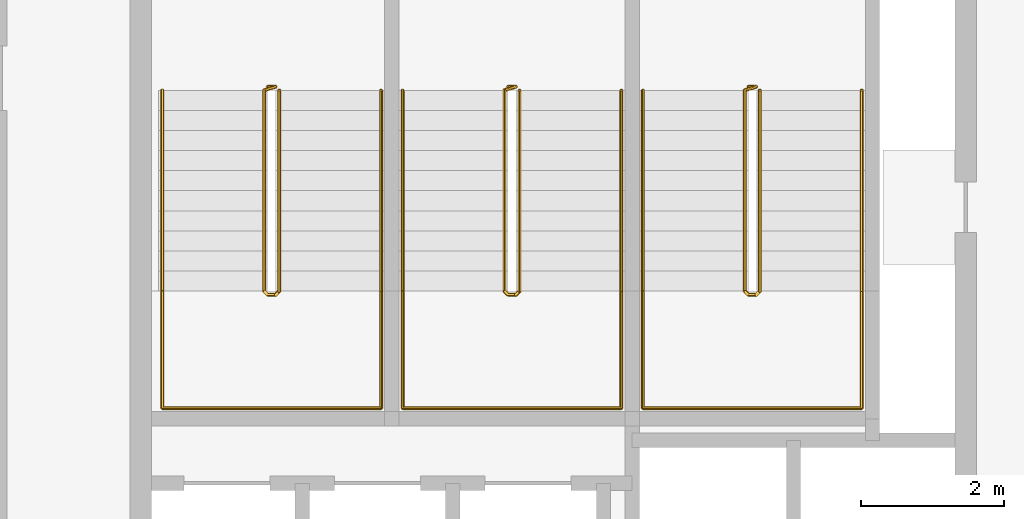
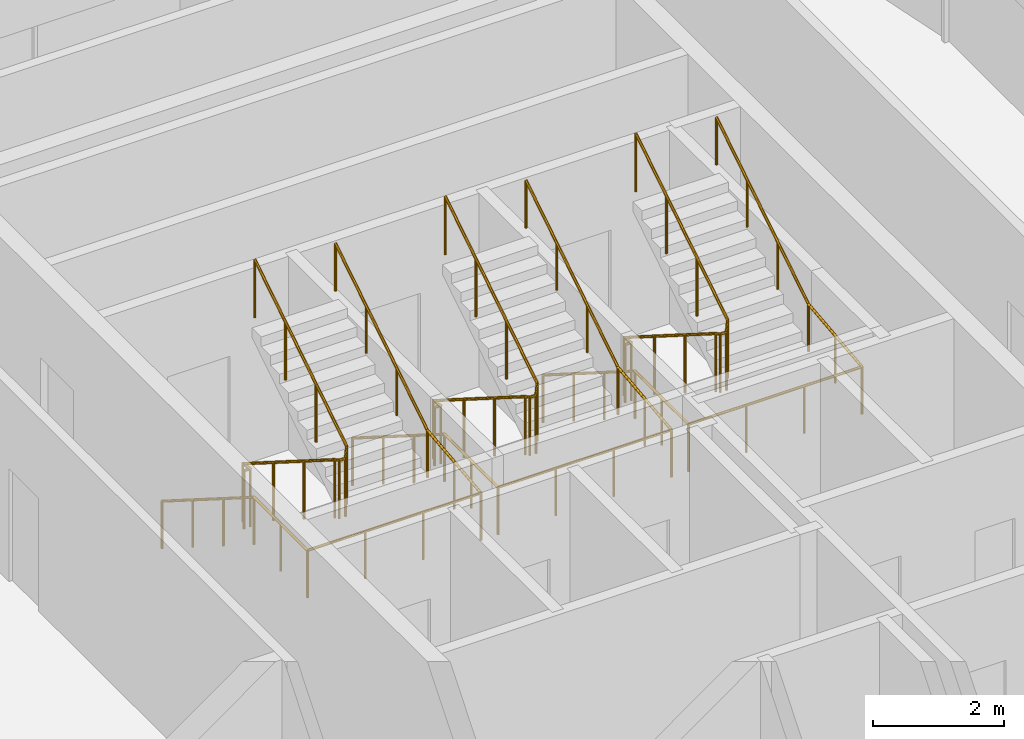
# One storey, part 9 of 9: 6 railings.
"""IFC4 building model written with IfcOpenShell, lengths in metres."""

from ifc_helpers import new_model, si_unit, direction, frame, origin, origin_2d, place, context, subcontext, project, spatial, circle, extrude, material, type_object, element, save


model = new_model("IFC4")

# Units and contexts
model_context = context("Model", 3, precision=1e-05, world=origin(), true_north=direction((0.0, 1.0)))
body_context = subcontext(model_context, "Body", "Model", "MODEL_VIEW")
ifc_project = project(units=[si_unit("LENGTHUNIT", "METRE"), si_unit("AREAUNIT", "SQUARE_METRE"), si_unit("VOLUMEUNIT", "CUBIC_METRE"), si_unit("PLANEANGLEUNIT", "RADIAN"), si_unit("MASSUNIT", "GRAM", prefix="KILO")], contexts=[model_context])

# Site, building, storey
site_placement = place(None, origin())
site = spatial("IfcSite", under=ifc_project, at=site_placement, CompositionType="ELEMENT")
building_placement = place(site_placement, origin())
building = spatial("IfcBuilding", under=site, at=building_placement, Name="Tessera Arch", CompositionType="ELEMENT")
storey_placement = place(building_placement, frame((0.0, 0.0, 305.10009765625)))
storey = spatial("IfcBuildingStorey", under=building, at=storey_placement, Name="L73", CompositionType="ELEMENT", Elevation=305.10009765625)

# Railings
ifc_material_1 = material(Name="Painted steel balustrade", Category="steel")
railing_type_1 = type_object("IfcRailingType", Name="Stair guard 1100", PredefinedType="GUARDRAIL", material=ifc_material_1)
railing_1_placement = place(storey_placement, frame((38.219970703125, 43.6298828125, 0.0)))
element("IfcRailing", 1, at=railing_1_placement, inside=storey, type_object=railing_type_1, Name="L73 S1a stair guard 1", PredefinedType="GUARDRAIL", context=body_context, shape_type="SweptSolid", body=[
    extrude(circle(Radius=0.02392578125, at=origin_2d()), frame((-0.00390625, 0.0, 1.076171875), z_axis=(1.0, 0.0, 0.0), x_axis=(0.0, 1.0, 0.0)), (0.0, 0.0, 1.0), 0.1181640625),
    extrude(circle(Radius=0.02392578125, at=origin_2d()), frame((0.11279296875, 0.000732421875, 1.0732421875), z_axis=(-0.656319048605, -0.204099216335, 0.726353093426), x_axis=(0.296948579431, -0.954893471113, 0.0)), (0.0, 0.0, 1.0), 0.251953125),
    extrude(circle(Radius=0.02392578125, at=origin_2d()), frame((-0.050048828125, -0.04638671875, 1.251220703125), z_axis=(0.0, -0.844908973607, 0.534910110503), x_axis=(1.0, 0.0, 0.0)), (0.0, 0.0, 1.0), 3.322021484375),
    extrude(circle(Radius=0.02392578125, at=origin_2d()), frame((-0.052978515625, -2.846923828125, 3.02587890625), z_axis=(0.707106781187, -0.707106781187, 0.0), x_axis=(0.707106781187, 0.707106781187, 0.0)), (0.0, 0.0, 1.0), 0.078857421875),
    extrude(circle(Radius=0.02392578125, at=origin_2d()), frame((-0.00390625, -2.89990234375, 3.02587890625), z_axis=(1.0, 0.0, 0.0), x_axis=(0.0, 1.0, 0.0)), (0.0, 0.0, 1.0), 0.1181640625),
    extrude(circle(Radius=0.02392578125, at=origin_2d()), frame((0.109130859375, -2.90087890625, 3.022216796875), z_axis=(0.261041864531, 0.262321481514, 0.929001929653), x_axis=(-0.708833529934, 0.705375805398, 0.0)), (0.0, 0.0, 1.0), 0.19873046875),
    extrude(circle(Radius=0.02392578125, at=origin_2d()), frame((0.159912109375, -2.853271484375, 3.201171875), z_axis=(0.0, 0.844908973607, 0.534910110503), x_axis=(-1.0, 0.0, 0.0)), (0.0, 0.0, 1.0), 3.322021484375),
    extrude(circle(Radius=0.02099609375, at=origin_2d()), origin(), (0.0, 0.0, 1.0), 1.06396484375),
    extrude(circle(Radius=0.02099609375, at=origin_2d()), frame((0.110107421875, 0.0, 0.0)), (0.0, 0.0, 1.0), 1.06396484375),
    extrude(circle(Radius=0.02099609375, at=origin_2d()), frame((-0.050048828125, -0.0498046875, 0.17724609375)), (0.0, 0.0, 1.0), 1.06396484375),
    extrude(circle(Radius=0.02099609375, at=origin_2d()), frame((-0.050048828125, -0.983154296875, 0.76806640625)), (0.0, 0.0, 1.0), 1.06396484375),
    extrude(circle(Radius=0.02099609375, at=origin_2d()), frame((-0.050048828125, -1.91650390625, 1.359130859375)), (0.0, 0.0, 1.0), 1.06396484375),
    extrude(circle(Radius=0.02099609375, at=origin_2d()), frame((-0.050048828125, -2.849853515625, 1.949951171875)), (0.0, 0.0, 1.0), 1.06396484375),
    extrude(circle(Radius=0.02099609375, at=origin_2d()), frame((0.0, -2.89990234375, 1.949951171875)), (0.0, 0.0, 1.0), 1.06396484375),
    extrude(circle(Radius=0.02099609375, at=origin_2d()), frame((0.110107421875, -2.89990234375, 1.949951171875)), (0.0, 0.0, 1.0), 1.06396484375),
    extrude(circle(Radius=0.02099609375, at=origin_2d()), frame((0.159912109375, -2.849853515625, 2.127197265625)), (0.0, 0.0, 1.0), 1.06396484375),
    extrude(circle(Radius=0.02099609375, at=origin_2d()), frame((0.159912109375, -1.91650390625, 2.718017578125)), (0.0, 0.0, 1.0), 1.06396484375),
    extrude(circle(Radius=0.02099609375, at=origin_2d()), frame((0.159912109375, -0.983154296875, 3.30908203125)), (0.0, 0.0, 1.0), 1.06396484375),
    extrude(circle(Radius=0.02099609375, at=origin_2d()), frame((0.159912109375, -0.0498046875, 3.89990234375)), (0.0, 0.0, 1.0), 1.06396484375),
])
railing_2_placement = place(storey_placement, frame((41.570068359375, 43.6298828125, 0.0)))
element("IfcRailing", 2, at=railing_2_placement, inside=storey, type_object=railing_type_1, Name="L73 S1b stair guard 1", PredefinedType="GUARDRAIL", context=body_context, shape_type="SweptSolid", body=[
    extrude(circle(Radius=0.02392578125, at=origin_2d()), frame((-0.00390625, 0.0, 1.076171875), z_axis=(1.0, 0.0, 0.0), x_axis=(0.0, 1.0, 0.0)), (0.0, 0.0, 1.0), 0.117919921875),
    extrude(circle(Radius=0.02392578125, at=origin_2d()), frame((0.112548828125, 0.000732421875, 1.0732421875), z_axis=(-0.65574896516, -0.204233265485, 0.726830150696), x_axis=(0.297361876254, -0.954764847777, 0.0)), (0.0, 0.0, 1.0), 0.251953125),
    extrude(circle(Radius=0.02392578125, at=origin_2d()), frame((-0.050048828125, -0.04638671875, 1.251220703125), z_axis=(0.0, -0.844908973607, 0.534910110503), x_axis=(1.0, 0.0, 0.0)), (0.0, 0.0, 1.0), 3.322021484375),
    extrude(circle(Radius=0.02392578125, at=origin_2d()), frame((-0.052978515625, -2.846923828125, 3.02587890625), z_axis=(0.707106781187, -0.707106781187, 0.0), x_axis=(0.707106781187, 0.707106781187, 0.0)), (0.0, 0.0, 1.0), 0.078857421875),
    extrude(circle(Radius=0.02392578125, at=origin_2d()), frame((-0.00390625, -2.89990234375, 3.02587890625), z_axis=(1.0, 0.0, 0.0), x_axis=(0.0, 1.0, 0.0)), (0.0, 0.0, 1.0), 0.117919921875),
    extrude(circle(Radius=0.02392578125, at=origin_2d()), frame((0.10888671875, -2.90087890625, 3.022216796875), z_axis=(0.262233686654, 0.262233686654, 0.928691007369), x_axis=(-0.707106781187, 0.707106781187, 0.0)), (0.0, 0.0, 1.0), 0.198974609375),
    extrude(circle(Radius=0.02392578125, at=origin_2d()), frame((0.159912109375, -2.853271484375, 3.201171875), z_axis=(0.0, 0.844908973607, 0.534910110503), x_axis=(-1.0, 0.0, 0.0)), (0.0, 0.0, 1.0), 3.322021484375),
    extrude(circle(Radius=0.02099609375, at=origin_2d()), origin(), (0.0, 0.0, 1.0), 1.06396484375),
    extrude(circle(Radius=0.02099609375, at=origin_2d()), frame((0.10986328125, 0.0, 0.0)), (0.0, 0.0, 1.0), 1.06396484375),
    extrude(circle(Radius=0.02099609375, at=origin_2d()), frame((-0.050048828125, -0.0498046875, 0.17724609375)), (0.0, 0.0, 1.0), 1.06396484375),
    extrude(circle(Radius=0.02099609375, at=origin_2d()), frame((-0.050048828125, -0.983154296875, 0.76806640625)), (0.0, 0.0, 1.0), 1.06396484375),
    extrude(circle(Radius=0.02099609375, at=origin_2d()), frame((-0.050048828125, -1.91650390625, 1.359130859375)), (0.0, 0.0, 1.0), 1.06396484375),
    extrude(circle(Radius=0.02099609375, at=origin_2d()), frame((-0.050048828125, -2.849853515625, 1.949951171875)), (0.0, 0.0, 1.0), 1.06396484375),
    extrude(circle(Radius=0.02099609375, at=origin_2d()), frame((0.0, -2.89990234375, 1.949951171875)), (0.0, 0.0, 1.0), 1.06396484375),
    extrude(circle(Radius=0.02099609375, at=origin_2d()), frame((0.10986328125, -2.89990234375, 1.949951171875)), (0.0, 0.0, 1.0), 1.06396484375),
    extrude(circle(Radius=0.02099609375, at=origin_2d()), frame((0.159912109375, -2.849853515625, 2.127197265625)), (0.0, 0.0, 1.0), 1.06396484375),
    extrude(circle(Radius=0.02099609375, at=origin_2d()), frame((0.159912109375, -1.91650390625, 2.718017578125)), (0.0, 0.0, 1.0), 1.06396484375),
    extrude(circle(Radius=0.02099609375, at=origin_2d()), frame((0.159912109375, -0.983154296875, 3.30908203125)), (0.0, 0.0, 1.0), 1.06396484375),
    extrude(circle(Radius=0.02099609375, at=origin_2d()), frame((0.159912109375, -0.0498046875, 3.89990234375)), (0.0, 0.0, 1.0), 1.06396484375),
])
railing_3_placement = place(storey_placement, frame((44.919921875, 43.6298828125, 0.0)))
element("IfcRailing", 3, at=railing_3_placement, inside=storey, type_object=railing_type_1, Name="L73 S1c stair guard 1", PredefinedType="GUARDRAIL", context=body_context, shape_type="SweptSolid", body=[
    extrude(circle(Radius=0.02392578125, at=origin_2d()), frame((-0.00390625, 0.0, 1.076171875), z_axis=(1.0, 0.0, 0.0), x_axis=(0.0, 1.0, 0.0)), (0.0, 0.0, 1.0), 0.1181640625),
    extrude(circle(Radius=0.02392578125, at=origin_2d()), frame((0.11279296875, 0.000732421875, 1.0732421875), z_axis=(-0.65574896516, -0.204233265485, 0.726830150696), x_axis=(0.297361876254, -0.954764847777, 0.0)), (0.0, 0.0, 1.0), 0.251953125),
    extrude(circle(Radius=0.02392578125, at=origin_2d()), frame((-0.0498046875, -0.04638671875, 1.251220703125), z_axis=(0.0, -0.844908973607, 0.534910110503), x_axis=(1.0, 0.0, 0.0)), (0.0, 0.0, 1.0), 3.322021484375),
    extrude(circle(Radius=0.02392578125, at=origin_2d()), frame((-0.052734375, -2.846923828125, 3.02587890625), z_axis=(0.705375805398, -0.708833529934, 0.0), x_axis=(0.708833529934, 0.705375805398, 0.0)), (0.0, 0.0, 1.0), 0.07861328125),
    extrude(circle(Radius=0.02392578125, at=origin_2d()), frame((-0.00390625, -2.89990234375, 3.02587890625), z_axis=(1.0, 0.0, 0.0), x_axis=(0.0, 1.0, 0.0)), (0.0, 0.0, 1.0), 0.1181640625),
    extrude(circle(Radius=0.02392578125, at=origin_2d()), frame((0.109130859375, -2.90087890625, 3.022216796875), z_axis=(0.262233686654, 0.262233686654, 0.928691007369), x_axis=(-0.707106781187, 0.707106781187, 0.0)), (0.0, 0.0, 1.0), 0.198974609375),
    extrude(circle(Radius=0.02392578125, at=origin_2d()), frame((0.16015625, -2.853271484375, 3.201171875), z_axis=(0.0, 0.844908973607, 0.534910110503), x_axis=(-1.0, 0.0, 0.0)), (0.0, 0.0, 1.0), 3.322021484375),
    extrude(circle(Radius=0.02099609375, at=origin_2d()), origin(), (0.0, 0.0, 1.0), 1.06396484375),
    extrude(circle(Radius=0.02099609375, at=origin_2d()), frame((0.110107421875, 0.0, 0.0)), (0.0, 0.0, 1.0), 1.06396484375),
    extrude(circle(Radius=0.02099609375, at=origin_2d()), frame((-0.0498046875, -0.0498046875, 0.17724609375)), (0.0, 0.0, 1.0), 1.06396484375),
    extrude(circle(Radius=0.02099609375, at=origin_2d()), frame((-0.0498046875, -0.983154296875, 0.76806640625)), (0.0, 0.0, 1.0), 1.06396484375),
    extrude(circle(Radius=0.02099609375, at=origin_2d()), frame((-0.0498046875, -1.91650390625, 1.359130859375)), (0.0, 0.0, 1.0), 1.06396484375),
    extrude(circle(Radius=0.02099609375, at=origin_2d()), frame((-0.0498046875, -2.849853515625, 1.949951171875)), (0.0, 0.0, 1.0), 1.06396484375),
    extrude(circle(Radius=0.02099609375, at=origin_2d()), frame((0.0, -2.89990234375, 1.949951171875)), (0.0, 0.0, 1.0), 1.06396484375),
    extrude(circle(Radius=0.02099609375, at=origin_2d()), frame((0.110107421875, -2.89990234375, 1.949951171875)), (0.0, 0.0, 1.0), 1.06396484375),
    extrude(circle(Radius=0.02099609375, at=origin_2d()), frame((0.16015625, -2.849853515625, 2.127197265625)), (0.0, 0.0, 1.0), 1.06396484375),
    extrude(circle(Radius=0.02099609375, at=origin_2d()), frame((0.16015625, -1.91650390625, 2.718017578125)), (0.0, 0.0, 1.0), 1.06396484375),
    extrude(circle(Radius=0.02099609375, at=origin_2d()), frame((0.16015625, -0.983154296875, 3.30908203125)), (0.0, 0.0, 1.0), 1.06396484375),
    extrude(circle(Radius=0.02099609375, at=origin_2d()), frame((0.16015625, -0.0498046875, 3.89990234375)), (0.0, 0.0, 1.0), 1.06396484375),
])
ifc_material_2 = material(Name="Painted steel handrail", Category="steel")
railing_type_2 = type_object("IfcRailingType", Name="Stair handrail 900", PredefinedType="HANDRAIL", material=ifc_material_2)
railing_4_placement = place(storey_placement, frame((36.75, 43.580078125, 0.17724609375)))
element("IfcRailing", 4, at=railing_4_placement, inside=storey, type_object=railing_type_2, Name="L73 S1a stair handrail", PredefinedType="HANDRAIL", context=body_context, shape_type="SweptSolid", body=[
    extrude(circle(Radius=0.02392578125, at=origin_2d()), frame((0.0, 0.00341796875, 0.873779296875), z_axis=(0.0, -0.844908973607, 0.534910110503), x_axis=(1.0, 0.0, 0.0)), (0.0, 0.0, 1.0), 3.322021484375),
    extrude(circle(Radius=0.02392578125, at=origin_2d()), frame((0.0, -2.796142578125, 2.6484375), z_axis=(0.0, -1.0, 0.0), x_axis=(1.0, 0.0, 0.0)), (0.0, 0.0, 1.0), 1.63818359375),
    extrude(circle(Radius=0.02392578125, at=origin_2d()), frame((-0.00390625, -4.43017578125, 2.6484375), z_axis=(1.0, 0.0, 0.0), x_axis=(0.0, 1.0, 0.0)), (0.0, 0.0, 1.0), 3.05810546875),
    extrude(circle(Radius=0.02392578125, at=origin_2d()), frame((3.050048828125, -4.43408203125, 2.648193359375), z_axis=(0.0, 0.994140637614, 0.108094369164), x_axis=(-1.0, 0.0, 0.0)), (0.0, 0.0, 1.0), 1.647705078125),
    extrude(circle(Radius=0.02392578125, at=origin_2d()), frame((3.050048828125, -2.803466796875, 2.82373046875), z_axis=(0.0, 0.844908973607, 0.534910110503), x_axis=(-1.0, 0.0, 0.0)), (0.0, 0.0, 1.0), 3.322021484375),
    extrude(circle(Radius=0.02099609375, at=origin_2d()), origin(), (0.0, 0.0, 1.0), 0.86376953125),
    extrude(circle(Radius=0.02099609375, at=origin_2d()), frame((0.0, -0.933349609375, 0.5908203125)), (0.0, 0.0, 1.0), 0.86376953125),
    extrude(circle(Radius=0.02099609375, at=origin_2d()), frame((0.0, -1.86669921875, 1.181884765625)), (0.0, 0.0, 1.0), 0.86376953125),
    extrude(circle(Radius=0.02099609375, at=origin_2d()), frame((0.0, -2.800048828125, 1.772705078125)), (0.0, 0.0, 1.0), 0.86376953125),
    extrude(circle(Radius=0.02099609375, at=origin_2d()), frame((0.0, -3.615234375, 1.772705078125)), (0.0, 0.0, 1.0), 0.86376953125),
    extrude(circle(Radius=0.02099609375, at=origin_2d()), frame((0.0, -4.43017578125, 1.772705078125)), (0.0, 0.0, 1.0), 0.86376953125),
    extrude(circle(Radius=0.02099609375, at=origin_2d()), frame((1.0166015625, -4.43017578125, 1.772705078125)), (0.0, 0.0, 1.0), 0.86376953125),
    extrude(circle(Radius=0.02099609375, at=origin_2d()), frame((2.033447265625, -4.43017578125, 1.772705078125)), (0.0, 0.0, 1.0), 0.86376953125),
    extrude(circle(Radius=0.02099609375, at=origin_2d()), frame((3.050048828125, -4.43017578125, 1.772705078125)), (0.0, 0.0, 1.0), 0.86376953125),
    extrude(circle(Radius=0.02099609375, at=origin_2d()), frame((3.050048828125, -3.615234375, 1.861328125)), (0.0, 0.0, 1.0), 0.86376953125),
    extrude(circle(Radius=0.02099609375, at=origin_2d()), frame((3.050048828125, -2.800048828125, 1.949951171875)), (0.0, 0.0, 1.0), 0.86376953125),
    extrude(circle(Radius=0.02099609375, at=origin_2d()), frame((3.050048828125, -1.86669921875, 2.540771484375)), (0.0, 0.0, 1.0), 0.86376953125),
    extrude(circle(Radius=0.02099609375, at=origin_2d()), frame((3.050048828125, -0.933349609375, 3.1318359375)), (0.0, 0.0, 1.0), 0.86376953125),
    extrude(circle(Radius=0.02099609375, at=origin_2d()), frame((3.050048828125, 0.0, 3.72265625)), (0.0, 0.0, 1.0), 0.86376953125),
])
railing_5_placement = place(storey_placement, frame((40.10009765625, 43.580078125, 0.17724609375)))
element("IfcRailing", 5, at=railing_5_placement, inside=storey, type_object=railing_type_2, Name="L73 S1b stair handrail", PredefinedType="HANDRAIL", context=body_context, shape_type="SweptSolid", body=[
    extrude(circle(Radius=0.02392578125, at=origin_2d()), frame((0.0, 0.00341796875, 0.873779296875), z_axis=(0.0, -0.844908973607, 0.534910110503), x_axis=(1.0, 0.0, 0.0)), (0.0, 0.0, 1.0), 3.322021484375),
    extrude(circle(Radius=0.02392578125, at=origin_2d()), frame((0.0, -2.796142578125, 2.6484375), z_axis=(0.0, -1.0, 0.0), x_axis=(1.0, 0.0, 0.0)), (0.0, 0.0, 1.0), 1.63818359375),
    extrude(circle(Radius=0.02392578125, at=origin_2d()), frame((-0.00390625, -4.43017578125, 2.6484375), z_axis=(1.0, 0.0, 0.0), x_axis=(0.0, 1.0, 0.0)), (0.0, 0.0, 1.0), 3.057861328125),
    extrude(circle(Radius=0.02392578125, at=origin_2d()), frame((3.0498046875, -4.43408203125, 2.648193359375), z_axis=(0.0, 0.994140637614, 0.108094369164), x_axis=(-1.0, 0.0, 0.0)), (0.0, 0.0, 1.0), 1.647705078125),
    extrude(circle(Radius=0.02392578125, at=origin_2d()), frame((3.0498046875, -2.803466796875, 2.82373046875), z_axis=(0.0, 0.844908973607, 0.534910110503), x_axis=(-1.0, 0.0, 0.0)), (0.0, 0.0, 1.0), 3.322021484375),
    extrude(circle(Radius=0.02099609375, at=origin_2d()), origin(), (0.0, 0.0, 1.0), 0.86376953125),
    extrude(circle(Radius=0.02099609375, at=origin_2d()), frame((0.0, -0.933349609375, 0.5908203125)), (0.0, 0.0, 1.0), 0.86376953125),
    extrude(circle(Radius=0.02099609375, at=origin_2d()), frame((0.0, -1.86669921875, 1.181884765625)), (0.0, 0.0, 1.0), 0.86376953125),
    extrude(circle(Radius=0.02099609375, at=origin_2d()), frame((0.0, -2.800048828125, 1.772705078125)), (0.0, 0.0, 1.0), 0.86376953125),
    extrude(circle(Radius=0.02099609375, at=origin_2d()), frame((0.0, -3.615234375, 1.772705078125)), (0.0, 0.0, 1.0), 0.86376953125),
    extrude(circle(Radius=0.02099609375, at=origin_2d()), frame((0.0, -4.43017578125, 1.772705078125)), (0.0, 0.0, 1.0), 0.86376953125),
    extrude(circle(Radius=0.02099609375, at=origin_2d()), frame((1.0166015625, -4.43017578125, 1.772705078125)), (0.0, 0.0, 1.0), 0.86376953125),
    extrude(circle(Radius=0.02099609375, at=origin_2d()), frame((2.033203125, -4.43017578125, 1.772705078125)), (0.0, 0.0, 1.0), 0.86376953125),
    extrude(circle(Radius=0.02099609375, at=origin_2d()), frame((3.0498046875, -4.43017578125, 1.772705078125)), (0.0, 0.0, 1.0), 0.86376953125),
    extrude(circle(Radius=0.02099609375, at=origin_2d()), frame((3.0498046875, -3.615234375, 1.861328125)), (0.0, 0.0, 1.0), 0.86376953125),
    extrude(circle(Radius=0.02099609375, at=origin_2d()), frame((3.0498046875, -2.800048828125, 1.949951171875)), (0.0, 0.0, 1.0), 0.86376953125),
    extrude(circle(Radius=0.02099609375, at=origin_2d()), frame((3.0498046875, -1.86669921875, 2.540771484375)), (0.0, 0.0, 1.0), 0.86376953125),
    extrude(circle(Radius=0.02099609375, at=origin_2d()), frame((3.0498046875, -0.933349609375, 3.1318359375)), (0.0, 0.0, 1.0), 0.86376953125),
    extrude(circle(Radius=0.02099609375, at=origin_2d()), frame((3.0498046875, 0.0, 3.72265625)), (0.0, 0.0, 1.0), 0.86376953125),
])
railing_6_placement = place(storey_placement, frame((43.449951171875, 43.580078125, 0.17724609375)))
element("IfcRailing", 6, at=railing_6_placement, inside=storey, type_object=railing_type_2, Name="L73 S1c stair handrail", PredefinedType="HANDRAIL", context=body_context, shape_type="SweptSolid", body=[
    extrude(circle(Radius=0.02392578125, at=origin_2d()), frame((0.0, 0.00341796875, 0.873779296875), z_axis=(0.0, -0.844908973607, 0.534910110503), x_axis=(1.0, 0.0, 0.0)), (0.0, 0.0, 1.0), 3.322021484375),
    extrude(circle(Radius=0.02392578125, at=origin_2d()), frame((0.0, -2.796142578125, 2.6484375), z_axis=(0.0, -1.0, 0.0), x_axis=(1.0, 0.0, 0.0)), (0.0, 0.0, 1.0), 1.63818359375),
    extrude(circle(Radius=0.02392578125, at=origin_2d()), frame((-0.00390625, -4.43017578125, 2.6484375), z_axis=(1.0, 0.0, 0.0), x_axis=(0.0, 1.0, 0.0)), (0.0, 0.0, 1.0), 3.05810546875),
    extrude(circle(Radius=0.02392578125, at=origin_2d()), frame((3.050048828125, -4.43408203125, 2.648193359375), z_axis=(0.0, 0.994140637614, 0.108094369164), x_axis=(-1.0, 0.0, 0.0)), (0.0, 0.0, 1.0), 1.647705078125),
    extrude(circle(Radius=0.02392578125, at=origin_2d()), frame((3.050048828125, -2.803466796875, 2.82373046875), z_axis=(0.0, 0.844908973607, 0.534910110503), x_axis=(-1.0, 0.0, 0.0)), (0.0, 0.0, 1.0), 3.322021484375),
    extrude(circle(Radius=0.02099609375, at=origin_2d()), origin(), (0.0, 0.0, 1.0), 0.86376953125),
    extrude(circle(Radius=0.02099609375, at=origin_2d()), frame((0.0, -0.933349609375, 0.5908203125)), (0.0, 0.0, 1.0), 0.86376953125),
    extrude(circle(Radius=0.02099609375, at=origin_2d()), frame((0.0, -1.86669921875, 1.181884765625)), (0.0, 0.0, 1.0), 0.86376953125),
    extrude(circle(Radius=0.02099609375, at=origin_2d()), frame((0.0, -2.800048828125, 1.772705078125)), (0.0, 0.0, 1.0), 0.86376953125),
    extrude(circle(Radius=0.02099609375, at=origin_2d()), frame((0.0, -3.615234375, 1.772705078125)), (0.0, 0.0, 1.0), 0.86376953125),
    extrude(circle(Radius=0.02099609375, at=origin_2d()), frame((0.0, -4.43017578125, 1.772705078125)), (0.0, 0.0, 1.0), 0.86376953125),
    extrude(circle(Radius=0.02099609375, at=origin_2d()), frame((1.0166015625, -4.43017578125, 1.772705078125)), (0.0, 0.0, 1.0), 0.86376953125),
    extrude(circle(Radius=0.02099609375, at=origin_2d()), frame((2.033447265625, -4.43017578125, 1.772705078125)), (0.0, 0.0, 1.0), 0.86376953125),
    extrude(circle(Radius=0.02099609375, at=origin_2d()), frame((3.050048828125, -4.43017578125, 1.772705078125)), (0.0, 0.0, 1.0), 0.86376953125),
    extrude(circle(Radius=0.02099609375, at=origin_2d()), frame((3.050048828125, -3.615234375, 1.861328125)), (0.0, 0.0, 1.0), 0.86376953125),
    extrude(circle(Radius=0.02099609375, at=origin_2d()), frame((3.050048828125, -2.800048828125, 1.949951171875)), (0.0, 0.0, 1.0), 0.86376953125),
    extrude(circle(Radius=0.02099609375, at=origin_2d()), frame((3.050048828125, -1.86669921875, 2.540771484375)), (0.0, 0.0, 1.0), 0.86376953125),
    extrude(circle(Radius=0.02099609375, at=origin_2d()), frame((3.050048828125, -0.933349609375, 3.1318359375)), (0.0, 0.0, 1.0), 0.86376953125),
    extrude(circle(Radius=0.02099609375, at=origin_2d()), frame((3.050048828125, 0.0, 3.72265625)), (0.0, 0.0, 1.0), 0.86376953125),
])

save(model, "model.ifc")
